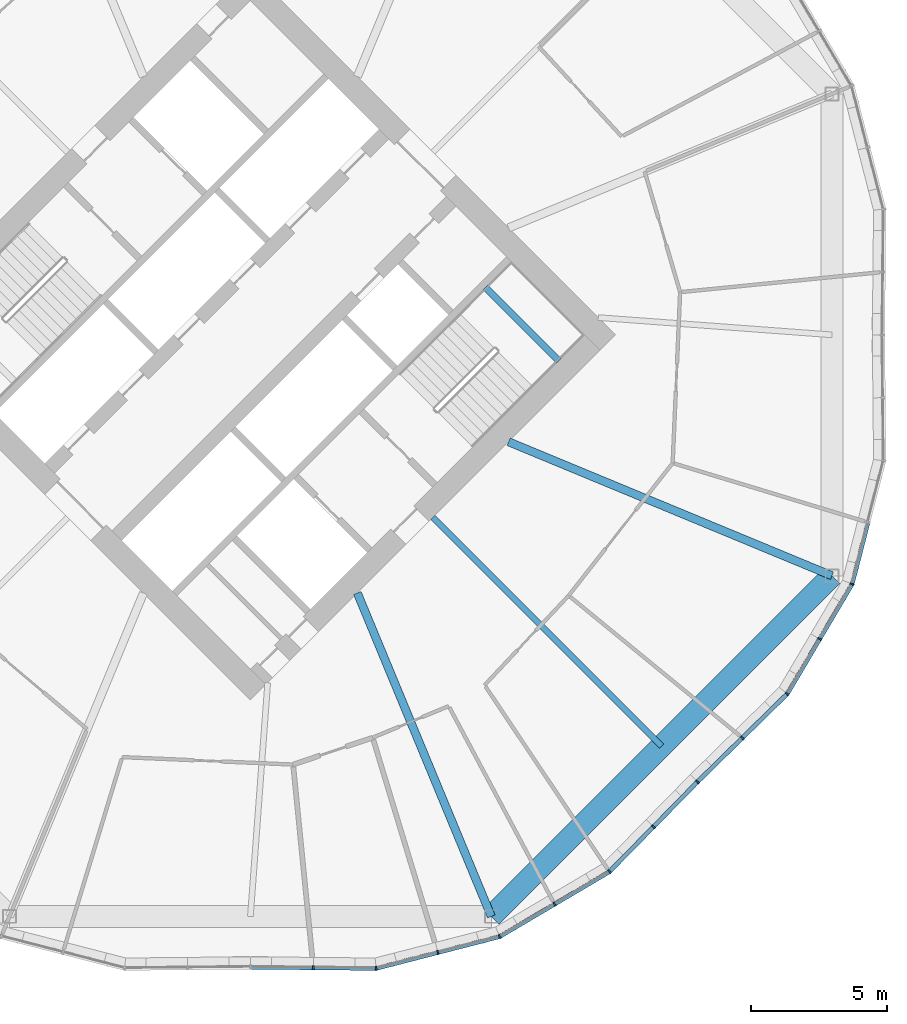
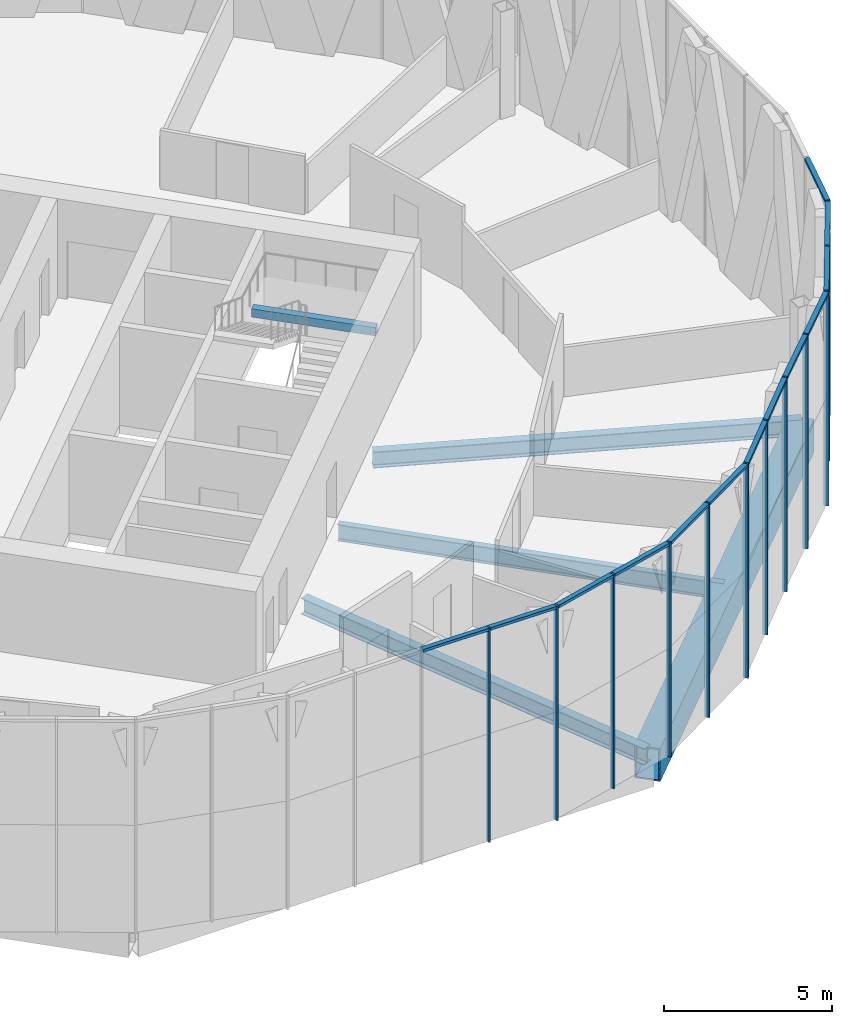
# One storey, part 13 of 31: 25 members, 5 beams, 2 elements without a shape of their own.
"""IFC4 building model written with IfcOpenShell, lengths in metres."""

from ifc_helpers import new_model, si_unit, direction, frame, origin, origin_2d, place, context, subcontext, project, spatial, rectangle, hollow_rectangle, i_section, extrude, material, material_profile, profile_set, type_object, element, aggregate, save


model = new_model("IFC4")

# Units and contexts
model_context = context("Model", 3, precision=1e-05, world=origin(), true_north=direction((0.0, 1.0)))
body_context = subcontext(model_context, "Body", "Model", "MODEL_VIEW")
ifc_project = project(units=[si_unit("LENGTHUNIT", "METRE"), si_unit("AREAUNIT", "SQUARE_METRE"), si_unit("VOLUMEUNIT", "CUBIC_METRE"), si_unit("PLANEANGLEUNIT", "RADIAN"), si_unit("MASSUNIT", "GRAM", prefix="KILO")], contexts=[model_context])

# Site, building, storey
site_placement = place(None, origin())
site = spatial("IfcSite", under=ifc_project, at=site_placement, CompositionType="ELEMENT")
building_placement = place(site_placement, origin())
building = spatial("IfcBuilding", under=site, at=building_placement, Name="Ogive Gate Towers", CompositionType="ELEMENT")
storey_placement = place(building_placement, frame((0.0, 0.0, 107.39990234375)))
storey = spatial("IfcBuildingStorey", under=building, at=storey_placement, Name="L25", CompositionType="ELEMENT", Elevation=107.39990234375)

# Beams
ifc_material_1 = material(Name="Steel SM460", Category="steel")
ifc_material_profile_1 = material_profile(ifc_material_1, hollow_rectangle(XDim=0.800048828125, YDim=1.199951171875, WallThickness=0.050048828125, at=origin_2d()), Name="BX 1200x800x50")
ifc_profile_set_1 = profile_set([ifc_material_profile_1], Name="Steel SM460")
beam_type_1 = type_object("IfcBeamType", Name="Edge girder BX 1200x800x50", PredefinedType="BEAM", material=ifc_profile_set_1)
beam_1_placement = place(storey_placement, frame((44.863037109375, -21.39697265625, -0.89990234375), z_axis=(0.707106781187, 0.707106781187, 0.0), x_axis=(-0.707106781187, 0.707106781187, 0.0)))
element("IfcBeam", 1, at=beam_1_placement, inside=storey, type_object=beam_type_1, Name="T2/L25/SBM019", PredefinedType="BEAM", context=body_context, shape_type="SweptSolid", body=[
    extrude(hollow_rectangle(XDim=0.800048828125, YDim=1.199951171875, WallThickness=0.050048828125, at=origin_2d()), origin(), (0.0, 0.0, 1.0), 17.7255859375),
])
ifc_material_2 = material(Name="Concrete C40/50", Category="concrete")
ifc_material_profile_2 = material_profile(ifc_material_2, rectangle(XDim=0.25, YDim=0.300048828125, at=origin_2d()), Name="RC 250x300")
ifc_profile_set_2 = profile_set([ifc_material_profile_2], Name="Concrete C40/50")
beam_type_2 = type_object("IfcBeamType", Name="Landing bearer RC 250x300", PredefinedType="BEAM", material=ifc_profile_set_2)
beam_2_placement = place(storey_placement, frame((47.349609375, -0.9541015625, 1.60009765625), z_axis=(-0.707106781187, 0.707106781187, 0.0), x_axis=(-0.707106781187, -0.707106781187, 0.0)))
element("IfcBeam", 2, at=beam_2_placement, inside=storey, type_object=beam_type_2, Name="T2 L25 stair 2 landing bearer 1", PredefinedType="BEAM", context=body_context, shape_type="SweptSolid", body=[
    extrude(rectangle(XDim=0.25, YDim=0.300048828125, at=origin_2d()), origin(), (0.0, 0.0, 1.0), 3.824951171875),
])
ifc_material_3 = material(Name="Steel SM355", Category="steel")
ifc_material_profile_3 = material_profile(ifc_material_3, i_section(OverallWidth=0.300048828125, OverallDepth=0.590087890625, WebThickness=0.012939453125, FlangeThickness=0.02490234375, FilletRadius=0.027099609375, at=origin_2d()), Name="HE 600 A")
ifc_profile_set_3 = profile_set([ifc_material_profile_3], Name="Steel SM355")
beam_type_3 = type_object("IfcBeamType", Name="Radial floor beam HE 600 A", PredefinedType="BEAM", material=ifc_profile_set_3)
for number, where, z_axis, x_axis, name in (
    (3, (39.93505859375, -9.5, -0.594970703125), (0.382689470177, -0.923877031545, 0.0), (0.923877031545, 0.382689470177, 0.0), "T2/L25/SBM005"),
    (4, (45.5, -3.93505859375, -0.594970703125), (0.923877031545, -0.382689470177, 0.0), (0.382689470177, 0.923877031545, 0.0), "T2/L25/SBM007"),
):
    element("IfcBeam", number, at=place(storey_placement, frame(where, z_axis=z_axis, x_axis=x_axis)), inside=storey, type_object=beam_type_3, Name=name, PredefinedType="BEAM", context=body_context, shape_type="SweptSolid", body=[
        extrude(i_section(OverallWidth=0.300048828125, OverallDepth=0.590087890625, WebThickness=0.012939453125, FlangeThickness=0.02490234375, FilletRadius=0.027099609375, at=origin_2d()), origin(), (0.0, 0.0, 1.0), 12.877197265625),
    ])
ifc_material_profile_4 = material_profile(ifc_material_3, i_section(OverallWidth=0.219970703125, OverallDepth=0.60009765625, WebThickness=0.011962890625, FlangeThickness=0.01904296875, FilletRadius=0.02392578125, at=origin_2d()), Name="IPE 600")
ifc_profile_set_4 = profile_set([ifc_material_profile_4], Name="Steel SM355")
beam_type_4 = type_object("IfcBeamType", Name="Radial floor beam IPE 600", PredefinedType="BEAM", material=ifc_profile_set_4)
beam_3_placement = place(storey_placement, frame((42.717529296875, -6.717529296875, -0.599853515625), z_axis=(0.707106781187, -0.707106781187, 0.0), x_axis=(0.707106781187, 0.707106781187, 0.0)))
element("IfcBeam", 5, at=beam_3_placement, inside=storey, type_object=beam_type_4, Name="T2/L25/SBM006", PredefinedType="BEAM", context=body_context, shape_type="SweptSolid", body=[
    extrude(i_section(OverallWidth=0.219970703125, OverallDepth=0.60009765625, WebThickness=0.011962890625, FlangeThickness=0.01904296875, FilletRadius=0.02392578125, at=origin_2d()), origin(), (0.0, 0.0, 1.0), 11.89697265625),
])

# Curtain wall, members
ifc_material_4 = material(Name="Pale metal aluminium", Category="aluminium")
curtain_wall_type = type_object("IfcCurtainWallType", Name="Tower unitised wall, low zone", PredefinedType="NOTDEFINED", material=ifc_material_4)
curtain_wall_1_placement = place(storey_placement, origin())
curtain_wall_1 = element("IfcCurtainWall", 6, at=curtain_wall_1_placement, inside=storey, type_object=curtain_wall_type, Name="CW1 T2 ECW09", PredefinedType="NOTDEFINED")
ifc_material_profile_5 = material_profile(ifc_material_4, rectangle(XDim=0.159912109375, YDim=0.06005859375, at=origin_2d()), Name="60 x 160 aluminium box")
ifc_profile_set_5 = profile_set([ifc_material_profile_5], Name="Pale metal aluminium")
member_type_1 = type_object("IfcMemberType", Name="Tower unitised wall, low zone mullion 60 x 160", PredefinedType="MULLION", material=ifc_profile_set_5)
member_1_placement = place(storey_placement, frame((52.447509765625, -16.447265625, -0.2998046875), z_axis=(0.0, 0.0, 1.0), x_axis=(-0.714081802495, 0.700062268192, 0.0)))
member_1 = element("IfcMember", 7, at=member_1_placement, type_object=member_type_1, Name="CW1 mullion", PredefinedType="MULLION", context=body_context, shape_type="SweptSolid", body=[
    extrude(rectangle(XDim=0.159912109375, YDim=0.06005859375, at=origin_2d()), origin(), (0.0, 0.0, 1.0), 7.7998046875),
])
member_2_placement = place(storey_placement, frame((50.828857421875, -18.098388671875, -0.2998046875), z_axis=(0.0, 0.0, 1.0), x_axis=(-0.714081802495, 0.700062268192, 0.0)))
member_2 = element("IfcMember", 8, at=member_2_placement, type_object=member_type_1, Name="CW1 mullion", PredefinedType="MULLION", context=body_context, shape_type="SweptSolid", body=[
    extrude(rectangle(XDim=0.159912109375, YDim=0.06005859375, at=origin_2d()), origin(), (0.0, 0.0, 1.0), 7.7998046875),
])
member_3_placement = place(storey_placement, frame((49.208251953125, -19.7509765625, -0.2998046875), z_axis=(0.0, 0.0, 1.0), x_axis=(-0.616651232476, 0.787236468595, 0.0)))
member_3 = element("IfcMember", 9, at=member_3_placement, type_object=member_type_1, Name="CW1 mullion", PredefinedType="MULLION", context=body_context, shape_type="SweptSolid", body=[
    extrude(rectangle(XDim=0.159912109375, YDim=0.06005859375, at=origin_2d()), origin(), (0.0, 0.0, 1.0), 7.7998046875),
])
member_4_placement = place(storey_placement, frame((47.189208984375, -20.944091796875, -0.2998046875), z_axis=(0.0, 0.0, 1.0), x_axis=(-0.508650771011, 0.860972934041, 0.0)))
member_4 = element("IfcMember", 10, at=member_4_placement, type_object=member_type_1, Name="CW1 mullion", PredefinedType="MULLION", context=body_context, shape_type="SweptSolid", body=[
    extrude(rectangle(XDim=0.159912109375, YDim=0.06005859375, at=origin_2d()), origin(), (0.0, 0.0, 1.0), 7.7998046875),
])
member_5_placement = place(storey_placement, frame((45.16943359375, -22.13720703125, -0.2998046875), z_axis=(0.0, 0.0, 1.0), x_axis=(-0.382667307567, 0.923886211456, 0.0)))
member_5 = element("IfcMember", 11, at=member_5_placement, type_object=member_type_1, Name="CW1 mullion", PredefinedType="MULLION", context=body_context, shape_type="SweptSolid", body=[
    extrude(rectangle(XDim=0.159912109375, YDim=0.06005859375, at=origin_2d()), origin(), (0.0, 0.0, 1.0), 7.7998046875),
])
member_6_placement = place(storey_placement, frame((42.89794921875, -22.7216796875, -0.2998046875), z_axis=(0.0, 0.0, 1.0), x_axis=(-0.249129390641, 0.968470209515, 0.0)))
member_6 = element("IfcMember", 12, at=member_6_placement, type_object=member_type_1, Name="CW1 mullion", PredefinedType="MULLION", context=body_context, shape_type="SweptSolid", body=[
    extrude(rectangle(XDim=0.159912109375, YDim=0.06005859375, at=origin_2d()), origin(), (0.0, 0.0, 1.0), 7.7998046875),
])
member_7_placement = place(storey_placement, frame((40.62646484375, -23.305908203125, -0.2998046875), z_axis=(0.0, 0.0, 1.0), x_axis=(-0.120639303069, 0.99269640805, 0.0)))
member_7 = element("IfcMember", 13, at=member_7_placement, type_object=member_type_1, Name="CW1 mullion", PredefinedType="MULLION", context=body_context, shape_type="SweptSolid", body=[
    extrude(rectangle(XDim=0.159912109375, YDim=0.06005859375, at=origin_2d()), origin(), (0.0, 0.0, 1.0), 7.7998046875),
])
member_8_placement = place(storey_placement, frame((38.31201171875, -23.282958984375, -0.2998046875), z_axis=(0.0, 0.0, 1.0), x_axis=(0.009930760208, 0.999950688785, 0.0)))
member_8 = element("IfcMember", 14, at=member_8_placement, type_object=member_type_1, Name="CW1 mullion", PredefinedType="MULLION", context=body_context, shape_type="SweptSolid", body=[
    extrude(rectangle(XDim=0.159912109375, YDim=0.06005859375, at=origin_2d()), origin(), (0.0, 0.0, 1.0), 7.7998046875),
])

curtain_wall_2_placement = place(storey_placement, origin())
curtain_wall_2 = element("IfcCurtainWall", 15, at=curtain_wall_2_placement, inside=storey, type_object=curtain_wall_type, Name="CW1 T2 ECW10", PredefinedType="NOTDEFINED")
member_9_placement = place(storey_placement, frame((58.13720703125, -9.16943359375, -0.2998046875), z_axis=(0.0, 0.0, 1.0), x_axis=(-0.923886211456, 0.382667307567, 0.0)))
member_9 = element("IfcMember", 16, at=member_9_placement, type_object=member_type_1, Name="CW1 mullion", PredefinedType="MULLION", context=body_context, shape_type="SweptSolid", body=[
    extrude(rectangle(XDim=0.159912109375, YDim=0.06005859375, at=origin_2d()), origin(), (0.0, 0.0, 1.0), 7.7998046875),
])
member_10_placement = place(storey_placement, frame((56.944091796875, -11.189208984375, -0.2998046875), z_axis=(0.0, 0.0, 1.0), x_axis=(-0.860972934041, 0.508650771011, 0.0)))
member_10 = element("IfcMember", 17, at=member_10_placement, type_object=member_type_1, Name="CW1 mullion", PredefinedType="MULLION", context=body_context, shape_type="SweptSolid", body=[
    extrude(rectangle(XDim=0.159912109375, YDim=0.06005859375, at=origin_2d()), origin(), (0.0, 0.0, 1.0), 7.7998046875),
])
member_11_placement = place(storey_placement, frame((55.7509765625, -13.208251953125, -0.2998046875), z_axis=(0.0, 0.0, 1.0), x_axis=(-0.787236468595, 0.616651232476, 0.0)))
member_11 = element("IfcMember", 18, at=member_11_placement, type_object=member_type_1, Name="CW1 mullion", PredefinedType="MULLION", context=body_context, shape_type="SweptSolid", body=[
    extrude(rectangle(XDim=0.159912109375, YDim=0.06005859375, at=origin_2d()), origin(), (0.0, 0.0, 1.0), 7.7998046875),
])
member_12_placement = place(storey_placement, frame((54.098388671875, -14.828857421875, -0.2998046875), z_axis=(0.0, 0.0, 1.0), x_axis=(-0.700062268192, 0.714081802495, 0.0)))
member_12 = element("IfcMember", 19, at=member_12_placement, type_object=member_type_1, Name="CW1 mullion", PredefinedType="MULLION", context=body_context, shape_type="SweptSolid", body=[
    extrude(rectangle(XDim=0.159912109375, YDim=0.06005859375, at=origin_2d()), origin(), (0.0, 0.0, 1.0), 7.7998046875),
])

# Member
ifc_material_profile_6 = material_profile(ifc_material_4, rectangle(XDim=0.159912109375, YDim=0.10009765625, at=origin_2d()), Name="100 x 160 aluminium box")
ifc_profile_set_6 = profile_set([ifc_material_profile_6], Name="Pale metal aluminium")
member_type_2 = type_object("IfcMemberType", Name="Tower unitised wall, low zone transom 100 x 160", PredefinedType="USERDEFINED", material=ifc_profile_set_6)
member_13_placement = place(storey_placement, frame((52.426513671875, -16.468505859375, 7.4501953125), z_axis=(-0.700025891815, -0.714117462879, 0.0), x_axis=(0.714117462879, -0.700025891815, 0.0)))
member_13 = element("IfcMember", 20, at=member_13_placement, type_object=member_type_2, Name="CW1 transom", ObjectType="TRANSOM", PredefinedType="USERDEFINED", context=body_context, shape_type="SweptSolid", body=[
    extrude(rectangle(XDim=0.159912109375, YDim=0.10009765625, at=origin_2d()), origin(), (0.0, 0.0, 1.0), 2.252197265625),
])

member_14_placement = place(storey_placement, frame((50.807861328125, -18.11962890625, 7.4501953125), z_axis=(-0.700080081582, -0.714064338399, 0.0), x_axis=(0.714064338399, -0.700080081582, 0.0)))
member_14 = element("IfcMember", 21, at=member_14_placement, type_object=member_type_2, Name="CW1 transom", ObjectType="TRANSOM", PredefinedType="USERDEFINED", context=body_context, shape_type="SweptSolid", body=[
    extrude(rectangle(XDim=0.159912109375, YDim=0.10009765625, at=origin_2d()), origin(), (0.0, 0.0, 1.0), 2.252197265625),
])

member_15_placement = place(storey_placement, frame((49.18017578125, -19.767822265625, 7.4501953125), z_axis=(-0.860964851658, -0.508664451489, 0.0), x_axis=(0.508664451489, -0.860964851658, 0.0)))
member_15 = element("IfcMember", 22, at=member_15_placement, type_object=member_type_2, Name="CW1 transom", ObjectType="TRANSOM", PredefinedType="USERDEFINED", context=body_context, shape_type="SweptSolid", body=[
    extrude(rectangle(XDim=0.159912109375, YDim=0.10009765625, at=origin_2d()), origin(), (0.0, 0.0, 1.0), 2.28271484375),
])

member_16_placement = place(storey_placement, frame((47.1630859375, -20.95947265625, 7.4501953125), z_axis=(-0.860964851658, -0.508664451489, 0.0), x_axis=(0.508664451489, -0.860964851658, 0.0)))
member_16 = element("IfcMember", 23, at=member_16_placement, type_object=member_type_2, Name="CW1 transom", ObjectType="TRANSOM", PredefinedType="USERDEFINED", context=body_context, shape_type="SweptSolid", body=[
    extrude(rectangle(XDim=0.159912109375, YDim=0.10009765625, at=origin_2d()), origin(), (0.0, 0.0, 1.0), 2.28271484375),
])

member_17_placement = place(storey_placement, frame((45.1376953125, -22.1455078125, 7.4501953125), z_axis=(-0.968478189772, -0.249098365983, 0.0), x_axis=(0.249098365983, -0.968478189772, 0.0)))
member_17 = element("IfcMember", 24, at=member_17_placement, type_object=member_type_2, Name="CW1 transom", ObjectType="TRANSOM", PredefinedType="USERDEFINED", context=body_context, shape_type="SweptSolid", body=[
    extrude(rectangle(XDim=0.159912109375, YDim=0.10009765625, at=origin_2d()), origin(), (0.0, 0.0, 1.0), 2.28271484375),
])

member_18_placement = place(storey_placement, frame((42.868896484375, -22.72900390625, 7.4501953125), z_axis=(-0.968452382745, -0.249198680485, 0.0), x_axis=(0.249198680485, -0.968452382745, 0.0)))
member_18 = element("IfcMember", 25, at=member_18_placement, type_object=member_type_2, Name="CW1 transom", ObjectType="TRANSOM", PredefinedType="USERDEFINED", context=body_context, shape_type="SweptSolid", body=[
    extrude(rectangle(XDim=0.159912109375, YDim=0.10009765625, at=origin_2d()), origin(), (0.0, 0.0, 1.0), 2.28271484375),
])

member_19_placement = place(storey_placement, frame((40.593994140625, -23.3056640625, 7.4501953125), z_axis=(-0.999950274345, 0.00997240382, 0.0), x_axis=(-0.00997240382, -0.999950274345, 0.0)))
member_19 = element("IfcMember", 26, at=member_19_placement, type_object=member_type_2, Name="CW1 transom", ObjectType="TRANSOM", PredefinedType="USERDEFINED", context=body_context, shape_type="SweptSolid", body=[
    extrude(rectangle(XDim=0.159912109375, YDim=0.10009765625, at=origin_2d()), origin(), (0.0, 0.0, 1.0), 2.252197265625),
])

member_20_placement = place(storey_placement, frame((38.281982421875, -23.28271484375, 7.4501953125), z_axis=(-0.999950274345, 0.00997240382, 0.0), x_axis=(-0.00997240382, -0.999950274345, 0.0)))
member_20 = element("IfcMember", 27, at=member_20_placement, type_object=member_type_2, Name="CW1 transom", ObjectType="TRANSOM", PredefinedType="USERDEFINED", context=body_context, shape_type="SweptSolid", body=[
    extrude(rectangle(XDim=0.159912109375, YDim=0.10009765625, at=origin_2d()), origin(), (0.0, 0.0, 1.0), 2.252197265625),
])

aggregate(curtain_wall_1, [member_1, member_2, member_13, member_3, member_14, member_4, member_15, member_5, member_16, member_6, member_17, member_7, member_18, member_8, member_19, member_20])

member_21_placement = place(storey_placement, frame((58.714111328125, -6.927001953125, 7.4501953125), z_axis=(-0.249098365983, -0.968478189772, 0.0), x_axis=(0.968478189772, -0.249098365983, 0.0)))
member_21 = element("IfcMember", 28, at=member_21_placement, type_object=member_type_2, Name="CW1 transom", ObjectType="TRANSOM", PredefinedType="USERDEFINED", context=body_context, shape_type="SweptSolid", body=[
    extrude(rectangle(XDim=0.159912109375, YDim=0.10009765625, at=origin_2d()), origin(), (0.0, 0.0, 1.0), 2.28271484375),
])

member_22_placement = place(storey_placement, frame((58.12060546875, -9.19775390625, 7.4501953125), z_axis=(-0.508664451489, -0.860964851658, 0.0), x_axis=(0.860964851658, -0.508664451489, 0.0)))
member_22 = element("IfcMember", 29, at=member_22_placement, type_object=member_type_2, Name="CW1 transom", ObjectType="TRANSOM", PredefinedType="USERDEFINED", context=body_context, shape_type="SweptSolid", body=[
    extrude(rectangle(XDim=0.159912109375, YDim=0.10009765625, at=origin_2d()), origin(), (0.0, 0.0, 1.0), 2.28271484375),
])

member_23_placement = place(storey_placement, frame((56.928955078125, -11.21484375, 7.4501953125), z_axis=(-0.508664451489, -0.860964851658, 0.0), x_axis=(0.860964851658, -0.508664451489, 0.0)))
member_23 = element("IfcMember", 30, at=member_23_placement, type_object=member_type_2, Name="CW1 transom", ObjectType="TRANSOM", PredefinedType="USERDEFINED", context=body_context, shape_type="SweptSolid", body=[
    extrude(rectangle(XDim=0.159912109375, YDim=0.10009765625, at=origin_2d()), origin(), (0.0, 0.0, 1.0), 2.28271484375),
])

member_24_placement = place(storey_placement, frame((55.727783203125, -13.231201171875, 7.4501953125), z_axis=(-0.714064338399, -0.700080081582, 0.0), x_axis=(0.700080081582, -0.714064338399, 0.0)))
member_24 = element("IfcMember", 31, at=member_24_placement, type_object=member_type_2, Name="CW1 transom", ObjectType="TRANSOM", PredefinedType="USERDEFINED", context=body_context, shape_type="SweptSolid", body=[
    extrude(rectangle(XDim=0.159912109375, YDim=0.10009765625, at=origin_2d()), origin(), (0.0, 0.0, 1.0), 2.252197265625),
])

member_25_placement = place(storey_placement, frame((54.076904296875, -14.849853515625, 7.4501953125), z_axis=(-0.714117462879, -0.700025891815, 0.0), x_axis=(0.700025891815, -0.714117462879, 0.0)))
member_25 = element("IfcMember", 32, at=member_25_placement, type_object=member_type_2, Name="CW1 transom", ObjectType="TRANSOM", PredefinedType="USERDEFINED", context=body_context, shape_type="SweptSolid", body=[
    extrude(rectangle(XDim=0.159912109375, YDim=0.10009765625, at=origin_2d()), origin(), (0.0, 0.0, 1.0), 2.252197265625),
])

aggregate(curtain_wall_2, [member_9, member_21, member_10, member_22, member_11, member_23, member_12, member_24, member_25])

save(model, "model.ifc")
